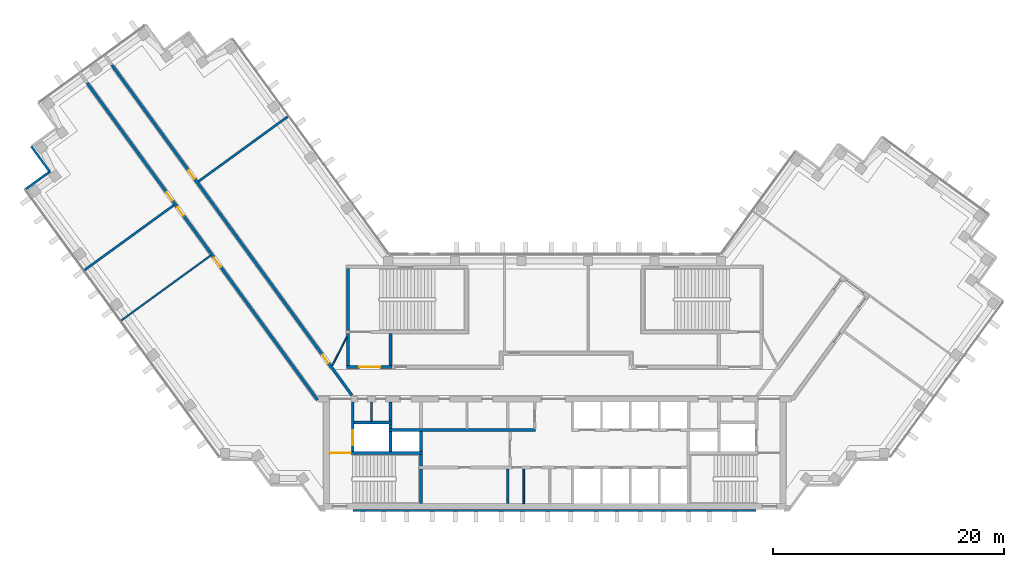
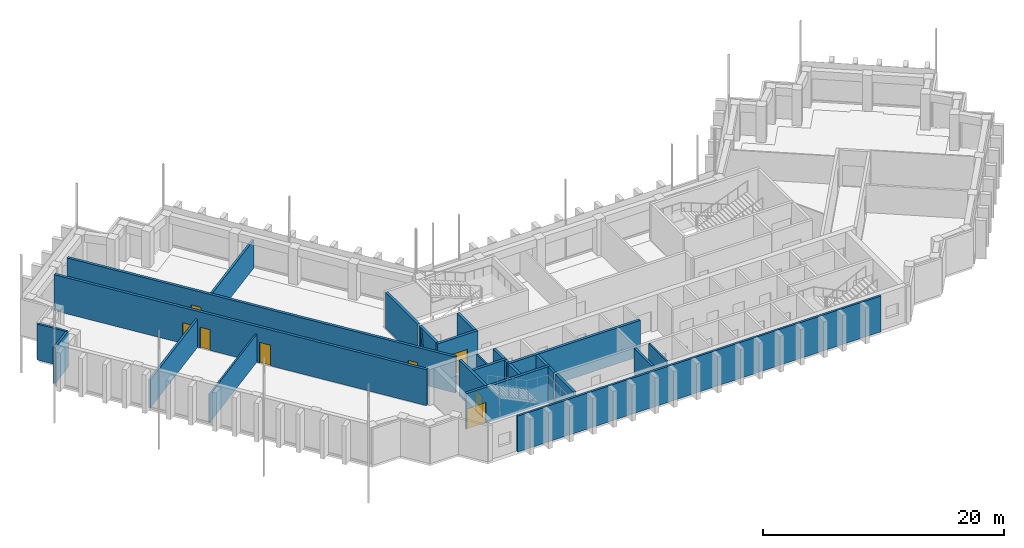
# One storey, part 7 of 12: 26 walls, 8 doors, 8 openings.
"""IFC4 building model written with IfcOpenShell, lengths in metres."""

from ifc_helpers import new_model, si_unit, direction, frame, frame_2d, origin, place, context, subcontext, project, spatial, rectangle, extrude, material, layer, layer_set, type_object, element, fill, save


model = new_model("IFC4")

# Units and contexts
model_context = context("Model", 3, precision=1e-05, world=origin(), true_north=direction((0.0, 1.0)))
body_context = subcontext(model_context, "Body", "Model", "MODEL_VIEW")
ifc_project = project(units=[si_unit("LENGTHUNIT", "METRE"), si_unit("AREAUNIT", "SQUARE_METRE"), si_unit("VOLUMEUNIT", "CUBIC_METRE"), si_unit("PLANEANGLEUNIT", "RADIAN"), si_unit("MASSUNIT", "GRAM", prefix="KILO")], contexts=[model_context])

# Site, building, storey
site_placement = place(None, origin())
site = spatial("IfcSite", under=ifc_project, at=site_placement, CompositionType="ELEMENT")
building_placement = place(site_placement, origin())
building = spatial("IfcBuilding", under=site, at=building_placement, Name="Quipu Civic Tower", CompositionType="ELEMENT")
storey_placement = place(building_placement, frame((0.0, 0.0, 234.0)))
storey = spatial("IfcBuildingStorey", under=building, at=storey_placement, Name="L55", CompositionType="ELEMENT", Elevation=234.0)

# Walls
ifc_material_1 = material(Name="Double gypsum plasterboard with mineral wool")
ifc_layer_1 = layer(ifc_material_1, 0.14990234375)
ifc_layer_set_1 = layer_set([ifc_layer_1], Name="Double gypsum plasterboard with mineral wool")
wall_type_1 = type_object("IfcWallType", Name="Acoustic partition 150 plasterboard", PredefinedType="PARTITIONING", material=ifc_layer_set_1)
wall_1_placement = place(storey_placement, frame((-29.769287109375, 10.979736328125, 0.0), z_axis=(0.0, 0.0, 1.0), x_axis=(-0.809048817734, -0.587741448702, 0.0)))
element("IfcWall", 1, at=wall_1_placement, inside=storey, type_object=wall_type_1, Name="Partition P02", PredefinedType="PARTITIONING", context=body_context, shape_type="SweptSolid", body=[
    extrude(rectangle(XDim=9.55029296875, YDim=0.14990234375, at=frame_2d((4.775146484375, 0.0))), origin(), (0.0, 0.0, 1.0), 2.85009765625),
])
ifc_material_2 = material(Name="Fired clay blockwork", Category="masonry")
ifc_layer_2 = layer(ifc_material_2, 0.199951171875)
ifc_layer_set_2 = layer_set([ifc_layer_2], Name="Fired clay blockwork")
wall_type_2 = type_object("IfcWallType", Name="Blockwork wall 200", PredefinedType="SOLIDWALL", material=ifc_layer_set_2)
wall_2_placement = place(storey_placement, frame((-23.112060546875, 22.99755859375, 0.0), z_axis=(0.0, 0.0, 1.0), x_axis=(-0.809043311713, -0.587749027879, 0.0)))
element("IfcWall", 2, at=wall_2_placement, inside=storey, type_object=wall_type_2, Name="Partition P05", PredefinedType="SOLIDWALL", context=body_context, shape_type="SweptSolid", body=[
    extrude(rectangle(XDim=9.549560546875, YDim=0.199951171875, at=frame_2d((4.77490234375, 0.0))), origin(), (0.0, 0.0, 1.0), 2.85009765625),
])
wall_3_placement = place(storey_placement, frame((-32.943115234375, 15.348876953125, 0.0), z_axis=(0.0, 0.0, 1.0), x_axis=(-0.80903787798, -0.587756507402, 0.0)))
element("IfcWall", 3, at=wall_3_placement, inside=storey, type_object=wall_type_2, Name="Partition P06", PredefinedType="SOLIDWALL", context=body_context, shape_type="SweptSolid", body=[
    extrude(rectangle(XDim=9.651611328125, YDim=0.199951171875, at=frame_2d((4.82568359375, 0.0))), origin(), (0.0, 0.0, 1.0), 2.85009765625),
])
ifc_material_3 = material(Name="Concrete C70/85", Category="concrete")
ifc_layer_3 = layer(ifc_material_3, 0.25)
ifc_layer_set_3 = layer_set([ifc_layer_3], Name="Concrete C70/85")
wall_type_3 = type_object("IfcWallType", Name="Core wall 250", PredefinedType="SHEAR", material=ifc_layer_set_3)
wall_4_placement = place(storey_placement, frame((-11.574951171875, -10.5, 0.0), z_axis=(0.0, 0.0, 1.0), x_axis=(0.0, 1.0, 0.0)))
element("IfcWall", 4, at=wall_4_placement, inside=storey, type_object=wall_type_3, Name="Core wall", PredefinedType="SHEAR", context=body_context, shape_type="SweptSolid", body=[
    extrude(rectangle(XDim=3.0, YDim=0.25, at=frame_2d((1.5, 0.0))), origin(), (0.0, 0.0, 1.0), 3.64990234375),
])
wall_5_placement = place(storey_placement, frame((-11.574951171875, -7.25, 0.0), z_axis=(0.0, 0.0, 1.0), x_axis=(0.0, 1.0, 0.0)))
element("IfcWall", 5, at=wall_5_placement, inside=storey, type_object=wall_type_3, Name="Core wall", PredefinedType="SHEAR", context=body_context, shape_type="SweptSolid", body=[
    extrude(rectangle(XDim=1.0, YDim=0.25, at=frame_2d((0.5, 0.0))), origin(), (0.0, 0.0, 1.0), 3.64990234375),
])

# Wall, opening, door
wall_6_placement = place(storey_placement, frame((-11.449951171875, -6.125, 0.0), z_axis=(0.0, 0.0, 1.0), x_axis=(-1.0, 0.0, 0.0)))
wall_6 = element("IfcWall", 6, at=wall_6_placement, inside=storey, type_object=wall_type_3, Name="Core wall", PredefinedType="SHEAR", context=body_context, shape_type="SweptSolid", body=[
    extrude(rectangle(XDim=8.050048828125, YDim=0.25, at=frame_2d((4.02490234375, 0.0))), origin(), (0.0, 0.0, 1.0), 3.64990234375),
])
opening_1_placement = place(wall_6_placement, frame((6.199951171875, 0.0, 0.0)))
opening_1 = element("IfcOpeningElement", 7, at=opening_1_placement, cuts=wall_6, Name="Opening CD-05", PredefinedType="OPENING", context=body_context, shape_type="SweptSolid", body=[
    extrude(rectangle(XDim=1.800048828125, YDim=2.10009765625, at=frame_2d((0.89990234375, 1.050048828125))), frame((0.0, 0.135009765625, 0.0), z_axis=(0.0, -1.0, 0.0), x_axis=(1.0, 0.0, 0.0)), (0.0, 0.0, 1.0), 0.27001953125),
])
ifc_material_4 = material(Name="Fire rated steel door", Category="steel")
door_type_1 = type_object("IfcDoorType", Name="Fire door FD90 double 1800 x 2100", OperationType="NOTDEFINED", PredefinedType="DOOR", material=ifc_material_4)
door_1_placement = place(opening_1_placement, origin())
door_1 = element("IfcDoor", 8, at=door_1_placement, inside=storey, type_object=door_type_1, Name="Door", OperationType="DOUBLE_DOOR_SINGLE_SWING", OverallHeight=2.10009765625, OverallWidth=1.800048828125, PredefinedType="DOOR", context=body_context, shape_type="SweptSolid", body=[
    extrude(rectangle(XDim=1.800048828125, YDim=2.10009765625, at=frame_2d((0.89990234375, 1.050048828125))), frame((0.0, 0.02490234375, 0.0), z_axis=(0.0, -1.0, 0.0), x_axis=(1.0, 0.0, 0.0)), (0.0, 0.0, 1.0), 0.050048828125),
])
fill(opening_1, door_1)

wall_7_placement = place(storey_placement, frame((-17.47509765625, -6.0, 0.0), z_axis=(0.0, 0.0, 1.0), x_axis=(0.0, 1.0, 0.0)))
wall_7 = element("IfcWall", 9, at=wall_7_placement, inside=storey, type_object=wall_type_3, Name="Core wall", PredefinedType="SHEAR", context=body_context, shape_type="SweptSolid", body=[
    extrude(rectangle(XDim=4.300048828125, YDim=0.25, at=frame_2d((2.14990234375, 0.0))), origin(), (0.0, 0.0, 1.0), 3.64990234375),
])
opening_2_placement = place(wall_7_placement, frame((0.550048828125, 0.0, 0.0)))
opening_2 = element("IfcOpeningElement", 10, at=opening_2_placement, cuts=wall_7, Name="Opening LD-FF1", PredefinedType="OPENING", context=body_context, shape_type="SweptSolid", body=[
    extrude(rectangle(XDim=1.300048828125, YDim=2.10009765625, at=frame_2d((0.64990234375, 1.050048828125))), frame((0.0, 0.135009765625, 0.0), z_axis=(0.0, -1.0, 0.0), x_axis=(1.0, 0.0, 0.0)), (0.0, 0.0, 1.0), 0.27001953125),
])
ifc_material_5 = material(Name="Stainless steel", Category="steel")
door_type_2 = type_object("IfcDoorType", Name="Lift landing door 1300 x 2100", OperationType="DOUBLE_DOOR_SLIDING", PredefinedType="DOOR", material=ifc_material_5)
door_2_placement = place(opening_2_placement, origin())
door_2 = element("IfcDoor", 11, at=door_2_placement, inside=storey, type_object=door_type_2, Name="Landing door FF1", OperationType="DOUBLE_DOOR_SLIDING", OverallHeight=2.10009765625, OverallWidth=1.300048828125, PredefinedType="DOOR", context=body_context, shape_type="SweptSolid", body=[
    extrude(rectangle(XDim=1.300048828125, YDim=2.10009765625, at=frame_2d((0.64990234375, 1.050048828125))), frame((0.0, 0.02490234375, 0.0), z_axis=(0.0, -1.0, 0.0), x_axis=(1.0, 0.0, 0.0)), (0.0, 0.0, 1.0), 0.050048828125),
])
fill(opening_2, door_2)

# Walls
for number, where, z_axis, x_axis, name in (
    (12, (-14.22509765625, -6.0, 0.0), (0.0, 0.0, 1.0), (0.0, 1.0, 0.0), "Core wall"),
    (13, (-11.574951171875, -6.0, 0.0), (0.0, 0.0, 1.0), (0.0, 1.0, 0.0), "Core wall"),
):
    element("IfcWall", number, at=place(storey_placement, frame(where, z_axis=z_axis, x_axis=x_axis)), inside=storey, type_object=wall_type_3, Name=name, PredefinedType="SHEAR", context=body_context, shape_type="SweptSolid", body=[
        extrude(rectangle(XDim=1.75, YDim=0.25, at=frame_2d((0.875, 0.0))), origin(), (0.0, 0.0, 1.0), 3.64990234375),
    ])
wall_8_placement = place(storey_placement, frame((-14.35009765625, -4.125, 0.0), z_axis=(0.0, 0.0, 1.0), x_axis=(1.0, 0.0, 0.0)))
element("IfcWall", 14, at=wall_8_placement, inside=storey, type_object=wall_type_3, Name="Core wall", PredefinedType="SHEAR", context=body_context, shape_type="SweptSolid", body=[
    extrude(rectangle(XDim=12.7001953125, YDim=0.25, at=frame_2d((6.35009765625, 0.0))), origin(), (0.0, 0.0, 1.0), 3.64990234375),
])
wall_9_placement = place(storey_placement, frame((-14.22509765625, -4.0, 0.0), z_axis=(0.0, 0.0, 1.0), x_axis=(0.0, 1.0, 0.0)))
element("IfcWall", 15, at=wall_9_placement, inside=storey, type_object=wall_type_3, Name="Core wall", PredefinedType="SHEAR", context=body_context, shape_type="SweptSolid", body=[
    extrude(rectangle(XDim=0.39990234375, YDim=0.25, at=frame_2d((0.199951171875, 0.0))), origin(), (0.0, 0.0, 1.0), 3.64990234375),
])
wall_10_placement = place(storey_placement, frame((-17.35009765625, -3.47509765625, 0.0), z_axis=(0.0, 0.0, 1.0), x_axis=(1.0, 0.0, 0.0)))
element("IfcWall", 16, at=wall_10_placement, inside=storey, type_object=wall_type_3, Name="Core wall", PredefinedType="SHEAR", context=body_context, shape_type="SweptSolid", body=[
    extrude(rectangle(XDim=3.25, YDim=0.25, at=frame_2d((1.625, 0.0))), origin(), (0.0, 0.0, 1.0), 3.64990234375),
])
wall_11_placement = place(storey_placement, frame((-14.22509765625, -3.35009765625, 0.0), z_axis=(0.0, 0.0, 1.0), x_axis=(0.0, 1.0, 0.0)))
element("IfcWall", 17, at=wall_11_placement, inside=storey, type_object=wall_type_3, Name="Core wall", PredefinedType="SHEAR", context=body_context, shape_type="SweptSolid", body=[
    extrude(rectangle(XDim=1.650146484375, YDim=0.25, at=frame_2d((0.8251953125, 0.0))), origin(), (0.0, 0.0, 1.0), 3.64990234375),
])

# Wall, opening, door
wall_12_placement = place(storey_placement, frame((-18.0, 1.324951171875, 0.0), z_axis=(0.0, 0.0, 1.0), x_axis=(1.0, 0.0, 0.0)))
wall_12 = element("IfcWall", 18, at=wall_12_placement, inside=storey, type_object=wall_type_3, Name="Core wall", PredefinedType="SHEAR", context=body_context, shape_type="SweptSolid", body=[
    extrude(rectangle(XDim=3.89990234375, YDim=0.25, at=frame_2d((1.949951171875, 0.0))), origin(), (0.0, 0.0, 1.0), 3.64990234375),
])
opening_3_placement = place(wall_12_placement, frame((1.10009765625, 0.0, 0.0)))
opening_3 = element("IfcOpeningElement", 19, at=opening_3_placement, cuts=wall_12, Name="Opening CD-19", PredefinedType="OPENING", context=body_context, shape_type="SweptSolid", body=[
    extrude(rectangle(XDim=1.800048828125, YDim=2.10009765625, at=frame_2d((0.89990234375, 1.050048828125))), frame((0.0, 0.135009765625, 0.0), z_axis=(0.0, -1.0, 0.0), x_axis=(1.0, 0.0, 0.0)), (0.0, 0.0, 1.0), 0.27001953125),
])
door_3_placement = place(opening_3_placement, origin())
door_3 = element("IfcDoor", 20, at=door_3_placement, inside=storey, type_object=door_type_1, Name="Lobby door", OperationType="DOUBLE_DOOR_SINGLE_SWING", OverallHeight=2.10009765625, OverallWidth=1.800048828125, PredefinedType="DOOR", context=body_context, shape_type="SweptSolid", body=[
    extrude(rectangle(XDim=1.800048828125, YDim=2.10009765625, at=frame_2d((0.89990234375, 1.050048828125))), frame((0.0, 0.02490234375, 0.0), z_axis=(0.0, -1.0, 0.0), x_axis=(1.0, 0.0, 0.0)), (0.0, 0.0, 1.0), 0.050048828125),
])
fill(opening_3, door_3)

# Walls
for number, where, z_axis, x_axis, name in (
    (21, (-17.875, 1.449951171875, 0.0), (0.0, 0.0, 1.0), (0.0, 1.0, 0.0), "Core wall"),
    (22, (-14.22509765625, 1.449951171875, 0.0), (0.0, 0.0, 1.0), (0.0, 1.0, 0.0), "Core wall"),
):
    element("IfcWall", number, at=place(storey_placement, frame(where, z_axis=z_axis, x_axis=x_axis)), inside=storey, type_object=wall_type_3, Name=name, PredefinedType="SHEAR", context=body_context, shape_type="SweptSolid", body=[
        extrude(rectangle(XDim=2.800048828125, YDim=0.25, at=frame_2d((1.39990234375, 0.0))), origin(), (0.0, 0.0, 1.0), 3.64990234375),
    ])
wall_13_placement = place(storey_placement, frame((-17.875, 4.5, 0.0), z_axis=(0.0, 0.0, 1.0), x_axis=(0.0, 1.0, 0.0)))
element("IfcWall", 23, at=wall_13_placement, inside=storey, type_object=wall_type_3, Name="Core wall", PredefinedType="SHEAR", context=body_context, shape_type="SweptSolid", body=[
    extrude(rectangle(XDim=5.35009765625, YDim=0.25, at=frame_2d((2.675048828125, 0.0))), origin(), (0.0, 0.0, 1.0), 3.64990234375),
])

# Wall, openings, doors
ifc_material_6 = material(Name="Concrete C50/60", Category="concrete")
ifc_layer_4 = layer(ifc_material_6, 0.25)
ifc_layer_set_4 = layer_set([ifc_layer_4], Name="Concrete C50/60")
wall_type_4 = type_object("IfcWallType", Name="Corridor wall 250 concrete", PredefinedType="SOLIDWALL", material=ifc_layer_set_4)
wall_14_placement = place(storey_placement, frame((-20.531005859375, -1.5234375, 0.0), z_axis=(0.0, 0.0, 1.0), x_axis=(-0.587781654618, 0.809019608226, 0.0)))
wall_14 = element("IfcWall", 24, at=wall_14_placement, inside=storey, type_object=wall_type_4, Name="Corridor wall C05", PredefinedType="SOLIDWALL", context=body_context, shape_type="SweptSolid", body=[
    extrude(rectangle(XDim=33.9111328125, YDim=0.25, at=frame_2d((16.95556640625, 0.0))), origin(), (0.0, 0.0, 1.0), 3.64990234375),
])
opening_4_placement = place(wall_14_placement, frame((14.215576171875, 0.0, 0.0)))
opening_4 = element("IfcOpeningElement", 25, at=opening_4_placement, cuts=wall_14, Name="Opening D012", PredefinedType="OPENING", context=body_context, shape_type="SweptSolid", body=[
    extrude(rectangle(XDim=1.0, YDim=2.10009765625, at=frame_2d((0.5, 1.050048828125))), frame((0.0, 0.135009765625, 0.0), z_axis=(0.0, -1.0, 0.0), x_axis=(1.0, 0.0, 0.0)), (0.0, 0.0, 1.0), 0.27001953125),
])
opening_5_placement = place(wall_14_placement, frame((19.715087890625, 0.0, 0.0)))
opening_5 = element("IfcOpeningElement", 26, at=opening_5_placement, cuts=wall_14, Name="Opening D011", PredefinedType="OPENING", context=body_context, shape_type="SweptSolid", body=[
    extrude(rectangle(XDim=0.89990234375, YDim=2.10009765625, at=frame_2d((0.449951171875, 1.050048828125))), frame((0.0, 0.135009765625, 0.0), z_axis=(0.0, -1.0, 0.0), x_axis=(1.0, 0.0, 0.0)), (0.0, 0.0, 1.0), 0.27001953125),
])
opening_6_placement = place(wall_14_placement, frame((21.31591796875, 0.0, 0.0)))
opening_6 = element("IfcOpeningElement", 27, at=opening_6_placement, cuts=wall_14, Name="Opening D010", PredefinedType="OPENING", context=body_context, shape_type="SweptSolid", body=[
    extrude(rectangle(XDim=0.89990234375, YDim=2.10009765625, at=frame_2d((0.449951171875, 1.050048828125))), frame((0.0, 0.135009765625, 0.0), z_axis=(0.0, -1.0, 0.0), x_axis=(1.0, 0.0, 0.0)), (0.0, 0.0, 1.0), 0.27001953125),
])
ifc_material_7 = material(Name="Fire rated timber door set with metal frame", Category="wood")
door_type_3 = type_object("IfcDoorType", Name="Single door 1000 x 2100 FD60", OperationType="NOTDEFINED", PredefinedType="DOOR", material=ifc_material_7)
door_4_placement = place(opening_4_placement, origin())
door_4 = element("IfcDoor", 28, at=door_4_placement, inside=storey, type_object=door_type_3, Name="Door D012", OperationType="SINGLE_SWING_RIGHT", OverallHeight=2.10009765625, OverallWidth=1.0, PredefinedType="DOOR", context=body_context, shape_type="SweptSolid", body=[
    extrude(rectangle(XDim=1.0, YDim=2.10009765625, at=frame_2d((0.5, 1.050048828125))), frame((0.0, 0.02490234375, 0.0), z_axis=(0.0, -1.0, 0.0), x_axis=(1.0, 0.0, 0.0)), (0.0, 0.0, 1.0), 0.050048828125),
])
fill(opening_4, door_4)
ifc_material_8 = material(Name="Fire rated timber door set with metal frame", Category="wood")
door_type_4 = type_object("IfcDoorType", Name="Single door 900 x 2100 FD60", OperationType="NOTDEFINED", PredefinedType="DOOR", material=ifc_material_8)
door_5_placement = place(opening_5_placement, origin())
door_5 = element("IfcDoor", 29, at=door_5_placement, inside=storey, type_object=door_type_4, Name="Door D011", OperationType="SINGLE_SWING_RIGHT", OverallHeight=2.10009765625, OverallWidth=0.89990234375, PredefinedType="DOOR", context=body_context, shape_type="SweptSolid", body=[
    extrude(rectangle(XDim=0.89990234375, YDim=2.10009765625, at=frame_2d((0.449951171875, 1.050048828125))), frame((0.0, 0.02490234375, 0.0), z_axis=(0.0, -1.0, 0.0), x_axis=(1.0, 0.0, 0.0)), (0.0, 0.0, 1.0), 0.050048828125),
])
fill(opening_5, door_5)
door_6_placement = place(opening_6_placement, origin())
door_6 = element("IfcDoor", 30, at=door_6_placement, inside=storey, type_object=door_type_4, Name="Door D010", OperationType="SINGLE_SWING_LEFT", OverallHeight=2.10009765625, OverallWidth=0.89990234375, PredefinedType="DOOR", context=body_context, shape_type="SweptSolid", body=[
    extrude(rectangle(XDim=0.89990234375, YDim=2.10009765625, at=frame_2d((0.449951171875, 1.050048828125))), frame((0.0, 0.02490234375, 0.0), z_axis=(0.0, -1.0, 0.0), x_axis=(1.0, 0.0, 0.0)), (0.0, 0.0, 1.0), 0.050048828125),
])
fill(opening_6, door_6)

wall_15_placement = place(storey_placement, frame((-38.31982421875, 27.46923828125, 0.0), z_axis=(0.0, 0.0, 1.0), x_axis=(0.587788021768, -0.809014982226, 0.0)))
wall_15 = element("IfcWall", 31, at=wall_15_placement, inside=storey, type_object=wall_type_4, Name="Corridor wall C06", PredefinedType="SOLIDWALL", context=body_context, shape_type="SweptSolid", body=[
    extrude(rectangle(XDim=35.34423828125, YDim=0.25, at=frame_2d((17.672119140625, 0.0))), origin(), (0.0, 0.0, 1.0), 3.64990234375),
])
opening_7_placement = place(wall_15_placement, frame((31.002685546875, 0.0, 0.0)))
opening_7 = element("IfcOpeningElement", 32, at=opening_7_placement, cuts=wall_15, Name="Opening D009", PredefinedType="OPENING", context=body_context, shape_type="SweptSolid", body=[
    extrude(rectangle(XDim=0.89990234375, YDim=2.10009765625, at=frame_2d((0.449951171875, 1.050048828125))), frame((0.0, 0.135009765625, 0.0), z_axis=(0.0, -1.0, 0.0), x_axis=(1.0, 0.0, 0.0)), (0.0, 0.0, 1.0), 0.27001953125),
])
opening_8_placement = place(wall_15_placement, frame((11.286376953125, 0.0, 0.0)))
opening_8 = element("IfcOpeningElement", 33, at=opening_8_placement, cuts=wall_15, Name="Opening D008", PredefinedType="OPENING", context=body_context, shape_type="SweptSolid", body=[
    extrude(rectangle(XDim=0.89990234375, YDim=2.10009765625, at=frame_2d((0.449951171875, 1.050048828125))), frame((0.0, 0.135009765625, 0.0), z_axis=(0.0, -1.0, 0.0), x_axis=(1.0, 0.0, 0.0)), (0.0, 0.0, 1.0), 0.27001953125),
])
door_7_placement = place(opening_7_placement, origin())
door_7 = element("IfcDoor", 34, at=door_7_placement, inside=storey, type_object=door_type_4, Name="Door D009", OperationType="SINGLE_SWING_RIGHT", OverallHeight=2.10009765625, OverallWidth=0.89990234375, PredefinedType="DOOR", context=body_context, shape_type="SweptSolid", body=[
    extrude(rectangle(XDim=0.89990234375, YDim=2.10009765625, at=frame_2d((0.449951171875, 1.050048828125))), frame((0.0, 0.02490234375, 0.0), z_axis=(0.0, -1.0, 0.0), x_axis=(1.0, 0.0, 0.0)), (0.0, 0.0, 1.0), 0.050048828125),
])
fill(opening_7, door_7)
door_8_placement = place(opening_8_placement, origin())
door_8 = element("IfcDoor", 35, at=door_8_placement, inside=storey, type_object=door_type_4, Name="Door D008", OperationType="SINGLE_SWING_RIGHT", OverallHeight=2.10009765625, OverallWidth=0.89990234375, PredefinedType="DOOR", context=body_context, shape_type="SweptSolid", body=[
    extrude(rectangle(XDim=0.89990234375, YDim=2.10009765625, at=frame_2d((0.449951171875, 1.050048828125))), frame((0.0, 0.02490234375, 0.0), z_axis=(0.0, -1.0, 0.0), x_axis=(1.0, 0.0, 0.0)), (0.0, 0.0, 1.0), 0.050048828125),
])
fill(opening_8, door_8)

# Walls
ifc_material_9 = material(Name="Gypsum plasterboard on light gauge framing")
ifc_layer_5 = layer(ifc_material_9, 0.1201171875)
ifc_layer_set_5 = layer_set([ifc_layer_5], Name="Gypsum plasterboard on light gauge framing")
wall_type_5 = type_object("IfcWallType", Name="Partition 120 plasterboard", PredefinedType="PARTITIONING", material=ifc_layer_set_5)
wall_16_placement = place(storey_placement, frame((-19.260986328125, 1.449951171875, 0.0), z_axis=(0.0, 0.0, 1.0), x_axis=(0.453950796792, 0.891026752736, 0.0)))
element("IfcWall", 36, at=wall_16_placement, inside=storey, type_object=wall_type_5, Name="Partition P10", PredefinedType="PARTITIONING", context=body_context, shape_type="SweptSolid", body=[
    extrude(rectangle(XDim=2.77783203125, YDim=0.1201171875, at=frame_2d((1.388916015625, 0.0))), origin(), (0.0, 0.0, 1.0), 3.64990234375),
])
ifc_material_10 = material(Name="Gypsum board partition")
ifc_layer_6 = layer(ifc_material_10, 0.14990234375)
ifc_layer_set_6 = layer_set([ifc_layer_6], Name="Gypsum board partition")
wall_type_6 = type_object("IfcWallType", Name="Partition 150", PredefinedType="PARTITIONING", material=ifc_layer_set_6)
wall_17_placement = place(storey_placement, frame((-2.675048828125, -10.5, 0.0), z_axis=(0.0, 0.0, 1.0), x_axis=(0.0, 1.0, 0.0)))
element("IfcWall", 37, at=wall_17_placement, inside=storey, type_object=wall_type_6, Name="Partition", PredefinedType="PARTITIONING", context=body_context, shape_type="SweptSolid", body=[
    extrude(rectangle(XDim=3.0, YDim=0.14990234375, at=frame_2d((1.5, 0.0))), origin(), (0.0, 0.0, 1.0), 3.64990234375),
])
wall_18_placement = place(storey_placement, frame((-15.85009765625, -3.35009765625, 0.0), z_axis=(0.0, 0.0, 1.0), x_axis=(0.0, 1.0, 0.0)))
element("IfcWall", 38, at=wall_18_placement, inside=storey, type_object=wall_type_6, Name="Partition", PredefinedType="PARTITIONING", context=body_context, shape_type="SweptSolid", body=[
    extrude(rectangle(XDim=1.650146484375, YDim=0.14990234375, at=frame_2d((0.8251953125, 0.0))), origin(), (0.0, 0.0, 1.0), 3.64990234375),
])
ifc_material_11 = material(Name="Precast concrete C40/50", Category="concrete")
wall_type_7 = type_object("IfcWallType", Name="Precast cladding wall", PredefinedType="SOLIDWALL", material=ifc_material_11)
for number, where, z_axis, x_axis, name in (
    (39, (-45.29638671875, 20.43359375, 0.0), (0.0, 0.0, 1.0), (0.587762999008, -0.809033161865, 0.0), "Precast cladding wall L55 P12"),
    (40, (-43.658203125, 18.271728515625, 0.0), (0.0, 0.0, 1.0), (-0.808958916286, -0.58786518162, 0.0), "Precast cladding wall L55 P13"),
):
    element("IfcWall", number, at=place(storey_placement, frame(where, z_axis=z_axis, x_axis=x_axis)), inside=storey, type_object=wall_type_7, Name=name, PredefinedType="SOLIDWALL", context=body_context, shape_type="SweptSolid", body=[
        extrude(rectangle(XDim=2.699951171875, YDim=0.199951171875, at=frame_2d((1.35009765625, 0.0))), origin(), (0.0, 0.0, 1.0), 3.64990234375),
    ])
wall_19_placement = place(storey_placement, frame((-17.44384765625, -11.087890625, 0.0), z_axis=(0.0, 0.0, 1.0), x_axis=(1.0, 0.0, 0.0)))
element("IfcWall", 41, at=wall_19_placement, inside=storey, type_object=wall_type_7, Name="Precast cladding wall L55 P20", PredefinedType="SOLIDWALL", context=body_context, shape_type="SweptSolid", body=[
    extrude(rectangle(XDim=34.8876953125, YDim=0.199951171875, at=frame_2d((17.44384765625, 0.0))), origin(), (0.0, 0.0, 1.0), 3.64990234375),
])
ifc_material_12 = material(Name="Concrete C40/50", Category="concrete")
ifc_layer_7 = layer(ifc_material_12, 0.199951171875)
ifc_layer_set_7 = layer_set([ifc_layer_7], Name="Concrete C40/50")
wall_type_8 = type_object("IfcWallType", Name="Shaft wall 200", PredefinedType="SOLIDWALL", material=ifc_layer_set_7)
wall_20_placement = place(storey_placement, frame((-4.050048828125, -10.5, 0.0), z_axis=(0.0, 0.0, 1.0), x_axis=(0.0, 1.0, 0.0)))
element("IfcWall", 42, at=wall_20_placement, inside=storey, type_object=wall_type_8, Name="Shaft wall", PredefinedType="SOLIDWALL", context=body_context, shape_type="SweptSolid", body=[
    extrude(rectangle(XDim=3.0, YDim=0.199951171875, at=frame_2d((1.5, 0.0))), origin(), (0.0, 0.0, 1.0), 3.64990234375),
])

save(model, "model.ifc")
